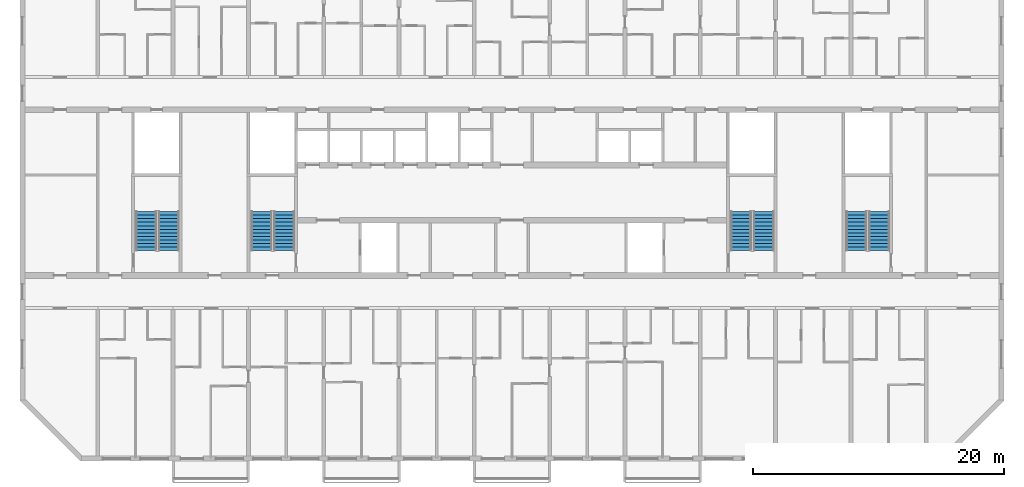
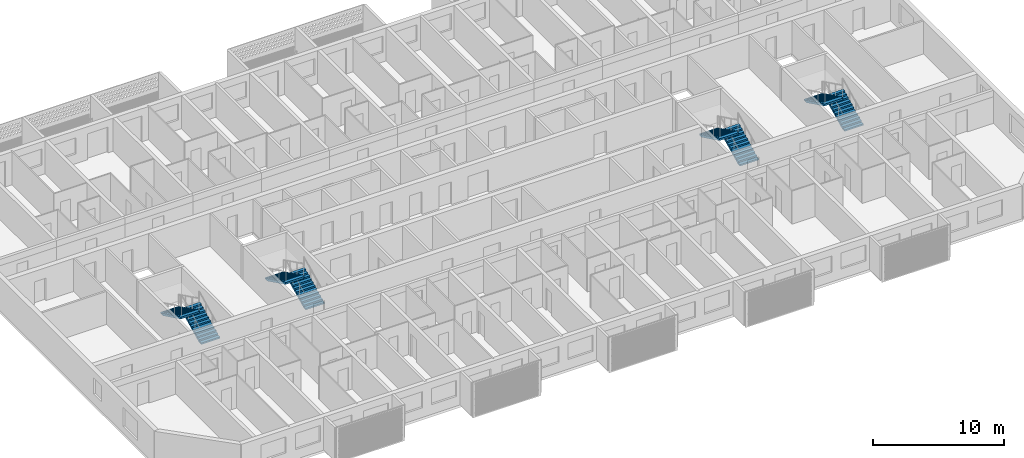
# One storey, part 13 of 32: 8 stair flights, 4 elements without a shape of their own.
"""IFC4 building model written with IfcOpenShell, lengths in metres."""

from ifc_helpers import new_model, si_unit, direction, frame, origin, place, context, subcontext, project, spatial, polyline, outline, extrude, material, layer, layer_set, type_object, element, aggregate, save


model = new_model("IFC4")

# Units and contexts
model_context = context("Model", 3, precision=1e-05, world=origin(), true_north=direction((0.0, 1.0)))
body_context = subcontext(model_context, "Body", "Model", "MODEL_VIEW")
ifc_project = project(units=[si_unit("LENGTHUNIT", "METRE"), si_unit("AREAUNIT", "SQUARE_METRE"), si_unit("VOLUMEUNIT", "CUBIC_METRE"), si_unit("PLANEANGLEUNIT", "RADIAN"), si_unit("MASSUNIT", "GRAM", prefix="KILO")], contexts=[model_context])

# Site, building, storey
site_placement = place(None, origin())
site = spatial("IfcSite", under=ifc_project, at=site_placement, CompositionType="ELEMENT")
building_placement = place(site_placement, origin())
building = spatial("IfcBuilding", under=site, at=building_placement, Name="Poui Terraces", CompositionType="ELEMENT")
storey_placement = place(building_placement, frame((0.0, 0.0, 152.10009765625)))
storey = spatial("IfcBuildingStorey", under=building, at=storey_placement, Name="L42", CompositionType="ELEMENT", Elevation=152.10009765625)

# Stair, stair flights
ifc_material = material(Name="Concrete 65 MPa", Category="concrete")
stair_type = type_object("IfcStairType", Name="EXIT STAIR 1650 65 MPA", PredefinedType="HALF_TURN_STAIR", material=ifc_material)
stair_1_placement = place(storey_placement, origin())
stair_1 = element("IfcStair", 1, at=stair_1_placement, inside=storey, type_object=stair_type, Name="L42 CORE STAIR EAST", PredefinedType="HALF_TURN_STAIR")
ifc_layer = layer(ifc_material, 0.14990234375)
ifc_layer_set = layer_set([ifc_layer], Name="Concrete 65 MPa")
stair_flight_type = type_object("IfcStairFlightType", Name="STAIR FLIGHT 12 RISERS 138 RISE 65 MPA", PredefinedType="STRAIGHT", material=ifc_layer_set)
stair_flight_1_placement = place(storey_placement, frame((71.050048828125, 16.60009765625, 0.0), z_axis=(0.0, 0.0, 1.0), x_axis=(0.0, 1.0, 0.0)))
stair_flight_1 = element("IfcStairFlight", 2, at=stair_flight_1_placement, type_object=stair_flight_type, Name="ST-CE flight 1", NumberOfRisers=12, NumberOfTreads=11, PredefinedType="STRAIGHT", RiserHeight=0.1375, TreadLength=0.28, context=body_context, shape_type="SweptSolid", body=[
    extrude(outline(polyline([(0.0, 0.0), (0.0, 0.137451171875), (0.280029296875, 0.137451171875), (0.280029296875, 0.27490234375), (0.56005859375, 0.27490234375), (0.56005859375, 0.41259765625), (0.840087890625, 0.41259765625), (0.840087890625, 0.550048828125), (1.1201171875, 0.550048828125), (1.1201171875, 0.6875), (1.39990234375, 0.6875), (1.39990234375, 0.824951171875), (1.679931640625, 0.824951171875), (1.679931640625, 0.96240234375), (1.9599609375, 0.96240234375), (1.9599609375, 1.10009765625), (2.239990234375, 1.10009765625), (2.239990234375, 1.237548828125), (2.52001953125, 1.237548828125), (2.52001953125, 1.375), (2.800048828125, 1.375), (2.800048828125, 1.512451171875), (3.080078125, 1.512451171875), (3.080078125, 1.64990234375), (3.080078125, 1.345458984375), (0.340087890625, 0.0), (0.0, 0.0)])), frame((0.0, 0.824951171875, 0.0), z_axis=(0.0, -1.0, 0.0), x_axis=(1.0, 0.0, 0.0)), (0.0, 0.0, 1.0), 1.64990234375),
])
stair_flight_2_placement = place(storey_placement, frame((69.25, 19.679931640625, 1.64990234375), z_axis=(0.0, 0.0, 1.0), x_axis=(0.0, -1.0, 0.0)))
stair_flight_2 = element("IfcStairFlight", 3, at=stair_flight_2_placement, type_object=stair_flight_type, Name="ST-CE flight 2", NumberOfRisers=12, NumberOfTreads=11, PredefinedType="STRAIGHT", RiserHeight=0.1375, TreadLength=0.28, context=body_context, shape_type="SweptSolid", body=[
    extrude(outline(polyline([(0.0, 0.0), (0.0, 0.137451171875), (0.280029296875, 0.137451171875), (0.280029296875, 0.27490234375), (0.56005859375, 0.27490234375), (0.56005859375, 0.41259765625), (0.840087890625, 0.41259765625), (0.840087890625, 0.550048828125), (1.1201171875, 0.550048828125), (1.1201171875, 0.6875), (1.39990234375, 0.6875), (1.39990234375, 0.824951171875), (1.679931640625, 0.824951171875), (1.679931640625, 0.96240234375), (1.9599609375, 0.96240234375), (1.9599609375, 1.10009765625), (2.239990234375, 1.10009765625), (2.239990234375, 1.237548828125), (2.52001953125, 1.237548828125), (2.52001953125, 1.375), (2.800048828125, 1.375), (2.800048828125, 1.512451171875), (3.080078125, 1.512451171875), (3.080078125, 1.64990234375), (3.080078125, 1.345458984375), (0.340087890625, 0.0), (0.0, 0.0)])), frame((0.0, 0.824951171875, 0.0), z_axis=(0.0, -1.0, 0.0), x_axis=(1.0, 0.0, 0.0)), (0.0, 0.0, 1.0), 1.64990234375),
])
aggregate(stair_1, [stair_flight_1, stair_flight_2])

stair_2_placement = place(storey_placement, origin())
stair_2 = element("IfcStair", 4, at=stair_2_placement, inside=storey, type_object=stair_type, Name="L42 CORE STAIR WEST", PredefinedType="HALF_TURN_STAIR")
stair_flight_3_placement = place(storey_placement, frame((32.85009765625, 16.60009765625, 0.0), z_axis=(0.0, 0.0, 1.0), x_axis=(0.0, 1.0, 0.0)))
stair_flight_3 = element("IfcStairFlight", 5, at=stair_flight_3_placement, type_object=stair_flight_type, Name="ST-CW flight 1", NumberOfRisers=12, NumberOfTreads=11, PredefinedType="STRAIGHT", RiserHeight=0.1375, TreadLength=0.28, context=body_context, shape_type="SweptSolid", body=[
    extrude(outline(polyline([(0.0, 0.0), (0.0, 0.137451171875), (0.280029296875, 0.137451171875), (0.280029296875, 0.27490234375), (0.56005859375, 0.27490234375), (0.56005859375, 0.41259765625), (0.840087890625, 0.41259765625), (0.840087890625, 0.550048828125), (1.1201171875, 0.550048828125), (1.1201171875, 0.6875), (1.39990234375, 0.6875), (1.39990234375, 0.824951171875), (1.679931640625, 0.824951171875), (1.679931640625, 0.96240234375), (1.9599609375, 0.96240234375), (1.9599609375, 1.10009765625), (2.239990234375, 1.10009765625), (2.239990234375, 1.237548828125), (2.52001953125, 1.237548828125), (2.52001953125, 1.375), (2.800048828125, 1.375), (2.800048828125, 1.512451171875), (3.080078125, 1.512451171875), (3.080078125, 1.64990234375), (3.080078125, 1.345458984375), (0.340087890625, 0.0), (0.0, 0.0)])), frame((0.0, 0.824951171875, 0.0), z_axis=(0.0, -1.0, 0.0), x_axis=(1.0, 0.0, 0.0)), (0.0, 0.0, 1.0), 1.64990234375),
])
stair_flight_4_placement = place(storey_placement, frame((31.050048828125, 19.679931640625, 1.64990234375), z_axis=(0.0, 0.0, 1.0), x_axis=(0.0, -1.0, 0.0)))
stair_flight_4 = element("IfcStairFlight", 6, at=stair_flight_4_placement, type_object=stair_flight_type, Name="ST-CW flight 2", NumberOfRisers=12, NumberOfTreads=11, PredefinedType="STRAIGHT", RiserHeight=0.1375, TreadLength=0.28, context=body_context, shape_type="SweptSolid", body=[
    extrude(outline(polyline([(0.0, 0.0), (0.0, 0.137451171875), (0.280029296875, 0.137451171875), (0.280029296875, 0.27490234375), (0.56005859375, 0.27490234375), (0.56005859375, 0.41259765625), (0.840087890625, 0.41259765625), (0.840087890625, 0.550048828125), (1.1201171875, 0.550048828125), (1.1201171875, 0.6875), (1.39990234375, 0.6875), (1.39990234375, 0.824951171875), (1.679931640625, 0.824951171875), (1.679931640625, 0.96240234375), (1.9599609375, 0.96240234375), (1.9599609375, 1.10009765625), (2.239990234375, 1.10009765625), (2.239990234375, 1.237548828125), (2.52001953125, 1.237548828125), (2.52001953125, 1.375), (2.800048828125, 1.375), (2.800048828125, 1.512451171875), (3.080078125, 1.512451171875), (3.080078125, 1.64990234375), (3.080078125, 1.345458984375), (0.340087890625, 0.0), (0.0, 0.0)])), frame((0.0, 0.824951171875, 0.0), z_axis=(0.0, -1.0, 0.0), x_axis=(1.0, 0.0, 0.0)), (0.0, 0.0, 1.0), 1.64990234375),
])
aggregate(stair_2, [stair_flight_3, stair_flight_4])

stair_3_placement = place(storey_placement, origin())
stair_3 = element("IfcStair", 7, at=stair_3_placement, inside=storey, type_object=stair_type, Name="L42 TIP STAIR EAST", PredefinedType="HALF_TURN_STAIR")
stair_flight_5_placement = place(storey_placement, frame((80.25, 16.60009765625, 0.0), z_axis=(0.0, 0.0, 1.0), x_axis=(0.0, 1.0, 0.0)))
stair_flight_5 = element("IfcStairFlight", 8, at=stair_flight_5_placement, type_object=stair_flight_type, Name="ST-E flight 1", NumberOfRisers=12, NumberOfTreads=11, PredefinedType="STRAIGHT", RiserHeight=0.1375, TreadLength=0.28, context=body_context, shape_type="SweptSolid", body=[
    extrude(outline(polyline([(0.0, 0.0), (0.0, 0.137451171875), (0.280029296875, 0.137451171875), (0.280029296875, 0.27490234375), (0.56005859375, 0.27490234375), (0.56005859375, 0.41259765625), (0.840087890625, 0.41259765625), (0.840087890625, 0.550048828125), (1.1201171875, 0.550048828125), (1.1201171875, 0.6875), (1.39990234375, 0.6875), (1.39990234375, 0.824951171875), (1.679931640625, 0.824951171875), (1.679931640625, 0.96240234375), (1.9599609375, 0.96240234375), (1.9599609375, 1.10009765625), (2.239990234375, 1.10009765625), (2.239990234375, 1.237548828125), (2.52001953125, 1.237548828125), (2.52001953125, 1.375), (2.800048828125, 1.375), (2.800048828125, 1.512451171875), (3.080078125, 1.512451171875), (3.080078125, 1.64990234375), (3.080078125, 1.345458984375), (0.340087890625, 0.0), (0.0, 0.0)])), frame((0.0, 0.824951171875, 0.0), z_axis=(0.0, -1.0, 0.0), x_axis=(1.0, 0.0, 0.0)), (0.0, 0.0, 1.0), 1.64990234375),
])
stair_flight_6_placement = place(storey_placement, frame((78.449951171875, 19.679931640625, 1.64990234375), z_axis=(0.0, 0.0, 1.0), x_axis=(0.0, -1.0, 0.0)))
stair_flight_6 = element("IfcStairFlight", 9, at=stair_flight_6_placement, type_object=stair_flight_type, Name="ST-E flight 2", NumberOfRisers=12, NumberOfTreads=11, PredefinedType="STRAIGHT", RiserHeight=0.1375, TreadLength=0.28, context=body_context, shape_type="SweptSolid", body=[
    extrude(outline(polyline([(0.0, 0.0), (0.0, 0.137451171875), (0.280029296875, 0.137451171875), (0.280029296875, 0.27490234375), (0.56005859375, 0.27490234375), (0.56005859375, 0.41259765625), (0.840087890625, 0.41259765625), (0.840087890625, 0.550048828125), (1.1201171875, 0.550048828125), (1.1201171875, 0.6875), (1.39990234375, 0.6875), (1.39990234375, 0.824951171875), (1.679931640625, 0.824951171875), (1.679931640625, 0.96240234375), (1.9599609375, 0.96240234375), (1.9599609375, 1.10009765625), (2.239990234375, 1.10009765625), (2.239990234375, 1.237548828125), (2.52001953125, 1.237548828125), (2.52001953125, 1.375), (2.800048828125, 1.375), (2.800048828125, 1.512451171875), (3.080078125, 1.512451171875), (3.080078125, 1.64990234375), (3.080078125, 1.345458984375), (0.340087890625, 0.0), (0.0, 0.0)])), frame((0.0, 0.824951171875, 0.0), z_axis=(0.0, -1.0, 0.0), x_axis=(1.0, 0.0, 0.0)), (0.0, 0.0, 1.0), 1.64990234375),
])
aggregate(stair_3, [stair_flight_5, stair_flight_6])

stair_4_placement = place(storey_placement, origin())
stair_4 = element("IfcStair", 10, at=stair_4_placement, inside=storey, type_object=stair_type, Name="L42 TIP STAIR WEST", PredefinedType="HALF_TURN_STAIR")
stair_flight_7_placement = place(storey_placement, frame((23.64990234375, 16.60009765625, 0.0), z_axis=(0.0, 0.0, 1.0), x_axis=(0.0, 1.0, 0.0)))
stair_flight_7 = element("IfcStairFlight", 11, at=stair_flight_7_placement, type_object=stair_flight_type, Name="ST-W flight 1", NumberOfRisers=12, NumberOfTreads=11, PredefinedType="STRAIGHT", RiserHeight=0.1375, TreadLength=0.28, context=body_context, shape_type="SweptSolid", body=[
    extrude(outline(polyline([(0.0, 0.0), (0.0, 0.137451171875), (0.280029296875, 0.137451171875), (0.280029296875, 0.27490234375), (0.56005859375, 0.27490234375), (0.56005859375, 0.41259765625), (0.840087890625, 0.41259765625), (0.840087890625, 0.550048828125), (1.1201171875, 0.550048828125), (1.1201171875, 0.6875), (1.39990234375, 0.6875), (1.39990234375, 0.824951171875), (1.679931640625, 0.824951171875), (1.679931640625, 0.96240234375), (1.9599609375, 0.96240234375), (1.9599609375, 1.10009765625), (2.239990234375, 1.10009765625), (2.239990234375, 1.237548828125), (2.52001953125, 1.237548828125), (2.52001953125, 1.375), (2.800048828125, 1.375), (2.800048828125, 1.512451171875), (3.080078125, 1.512451171875), (3.080078125, 1.64990234375), (3.080078125, 1.345458984375), (0.340087890625, 0.0), (0.0, 0.0)])), frame((0.0, 0.824951171875, 0.0), z_axis=(0.0, -1.0, 0.0), x_axis=(1.0, 0.0, 0.0)), (0.0, 0.0, 1.0), 1.64990234375),
])
stair_flight_8_placement = place(storey_placement, frame((21.85009765625, 19.679931640625, 1.64990234375), z_axis=(0.0, 0.0, 1.0), x_axis=(0.0, -1.0, 0.0)))
stair_flight_8 = element("IfcStairFlight", 12, at=stair_flight_8_placement, type_object=stair_flight_type, Name="ST-W flight 2", NumberOfRisers=12, NumberOfTreads=11, PredefinedType="STRAIGHT", RiserHeight=0.1375, TreadLength=0.28, context=body_context, shape_type="SweptSolid", body=[
    extrude(outline(polyline([(0.0, 0.0), (0.0, 0.137451171875), (0.280029296875, 0.137451171875), (0.280029296875, 0.27490234375), (0.56005859375, 0.27490234375), (0.56005859375, 0.41259765625), (0.840087890625, 0.41259765625), (0.840087890625, 0.550048828125), (1.1201171875, 0.550048828125), (1.1201171875, 0.6875), (1.39990234375, 0.6875), (1.39990234375, 0.824951171875), (1.679931640625, 0.824951171875), (1.679931640625, 0.96240234375), (1.9599609375, 0.96240234375), (1.9599609375, 1.10009765625), (2.239990234375, 1.10009765625), (2.239990234375, 1.237548828125), (2.52001953125, 1.237548828125), (2.52001953125, 1.375), (2.800048828125, 1.375), (2.800048828125, 1.512451171875), (3.080078125, 1.512451171875), (3.080078125, 1.64990234375), (3.080078125, 1.345458984375), (0.340087890625, 0.0), (0.0, 0.0)])), frame((0.0, 0.824951171875, 0.0), z_axis=(0.0, -1.0, 0.0), x_axis=(1.0, 0.0, 0.0)), (0.0, 0.0, 1.0), 1.64990234375),
])
aggregate(stair_4, [stair_flight_7, stair_flight_8])

save(model, "model.ifc")
